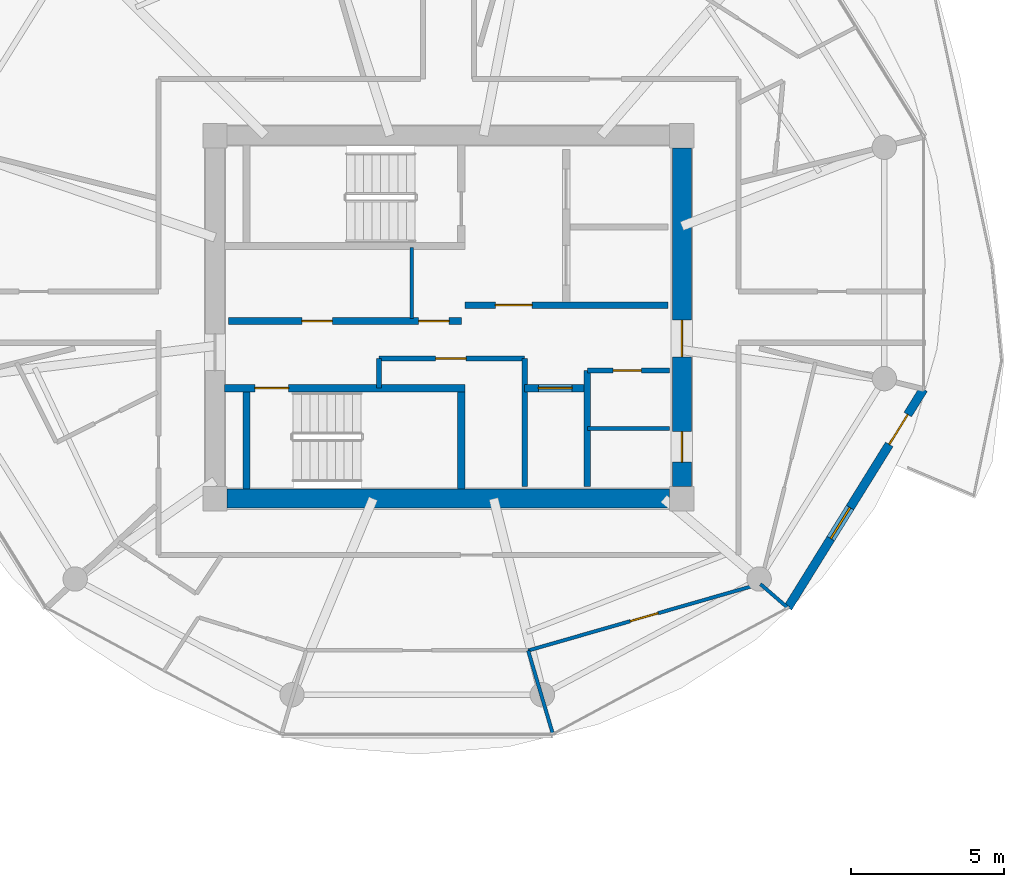
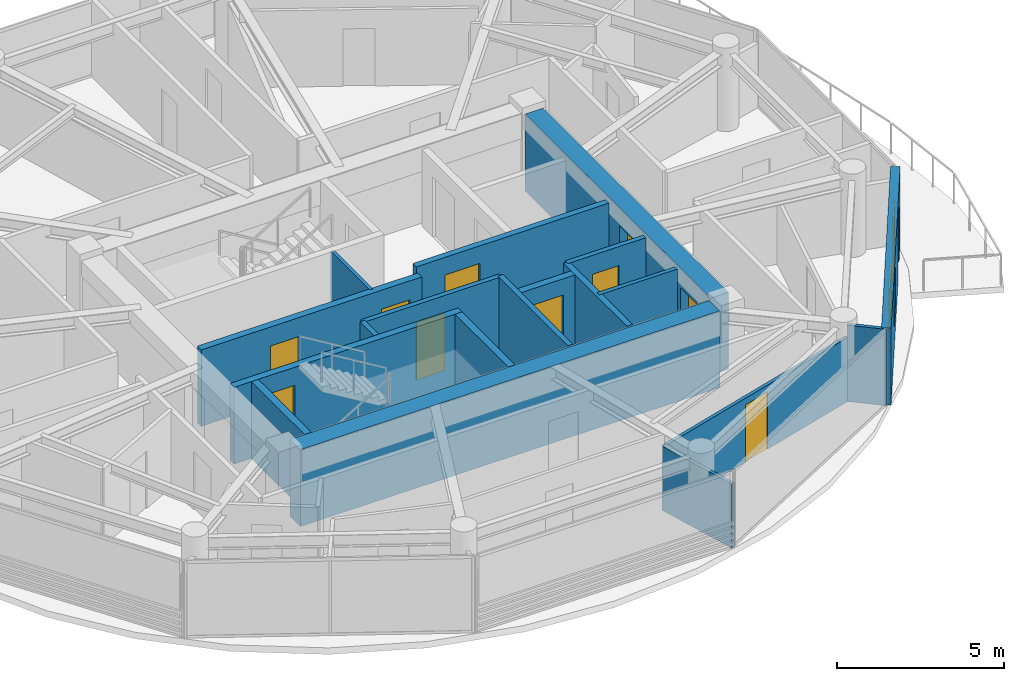
# One storey, part 15 of 22: 19 walls, 11 doors, 1 window, 12 openings.
"""IFC4 building model written with IfcOpenShell, lengths in metres."""

from ifc_helpers import new_model, si_unit, direction, frame, frame_2d, origin, place, context, subcontext, project, spatial, rectangle, extrude, source, transform, mapped, material, layer, layer_set, type_object, type_shapes, element, fill, save


model = new_model("IFC4")

# Units and contexts
model_context = context("Model", 3, precision=1e-05, world=origin(), true_north=direction((0.0, 1.0)))
body_context = subcontext(model_context, "Body", "Model", "MODEL_VIEW")
ifc_project = project(units=[si_unit("LENGTHUNIT", "METRE"), si_unit("AREAUNIT", "SQUARE_METRE"), si_unit("VOLUMEUNIT", "CUBIC_METRE"), si_unit("PLANEANGLEUNIT", "RADIAN"), si_unit("MASSUNIT", "GRAM", prefix="KILO")], contexts=[model_context])

# Site, building, storey
site_placement = place(None, origin())
site = spatial("IfcSite", under=ifc_project, at=site_placement, CompositionType="ELEMENT")
building_placement = place(site_placement, origin())
building = spatial("IfcBuilding", under=site, at=building_placement, Name="Norrkilde Senior Care Towers", CompositionType="ELEMENT")
storey_placement = place(building_placement, frame((0.0, 0.0, 167.85009765625)))
storey = spatial("IfcBuildingStorey", under=building, at=storey_placement, Name="L52", CompositionType="ELEMENT", Elevation=167.85009765625)

# Wall
ifc_material_1 = material(Name="Concrete C50/60", Category="concrete")
ifc_layer_1 = layer(ifc_material_1, 0.6201171875)
ifc_layer_set_1 = layer_set([ifc_layer_1], Name="Concrete C50/60")
wall_type_1 = type_object("IfcWallType", Name="Core Shear Wall Z3 620", PredefinedType="SHEAR", material=ifc_layer_set_1)
shared_shape_1 = source(origin(), body_context, "Body", "SweptSolid", [
    extrude(rectangle(XDim=14.5, YDim=0.6201171875, at=frame_2d((7.25, 0.0))), origin(), (0.0, 0.0, 1.0), 2.809814453125),
])
wall_1_placement = place(storey_placement, frame((35.25, -5.949951171875, 0.0), z_axis=(0.0, 0.0, 1.0), x_axis=(-1.0, 0.0, 0.0)))
element("IfcWall", 1, at=wall_1_placement, inside=storey, type_object=wall_type_1, Name="L52 Core E South Shear Wall", PredefinedType="SHEAR", context=body_context, shape_type="MappedRepresentation", body=[
    mapped(shared_shape_1, transform((0.0, 0.0, 0.0), x_axis=(1.0, 0.0, 0.0), y_axis=(0.0, 1.0, 0.0), z_axis=(0.0, 0.0, 1.0), scale=1.0)),
])

# Wall, openings, doors
shared_shape_2 = source(origin(), body_context, "Body", "SweptSolid", [
    extrude(rectangle(XDim=11.10009765625, YDim=0.6201171875, at=frame_2d((5.550048828125, 0.0))), origin(), (0.0, 0.0, 1.0), 2.809814453125),
])
type_shapes(wall_type_1, [shared_shape_1, shared_shape_2])
wall_2_placement = place(storey_placement, frame((35.64990234375, 5.550048828125, 0.0), z_axis=(0.0, 0.0, 1.0), x_axis=(0.0, -1.0, 0.0)))
wall_2 = element("IfcWall", 2, at=wall_2_placement, inside=storey, type_object=wall_type_1, Name="L52 Core E East Shear Wall", PredefinedType="SHEAR", context=body_context, shape_type="MappedRepresentation", body=[
    mapped(shared_shape_2, transform((0.0, 0.0, 0.0), x_axis=(1.0, 0.0, 0.0), y_axis=(0.0, 1.0, 0.0), z_axis=(0.0, 0.0, 1.0), scale=1.0)),
])
opening_1_placement = place(wall_2_placement, frame((5.64990234375, 0.0, 0.0)))
opening_1 = element("IfcOpeningElement", 3, at=opening_1_placement, cuts=wall_2, Name="Opening D-04", PredefinedType="OPENING", context=body_context, shape_type="SweptSolid", body=[
    extrude(rectangle(XDim=1.199951171875, YDim=2.14990234375, at=frame_2d((0.60009765625, 1.074951171875))), frame((0.0, 0.320068359375, 0.0), z_axis=(0.0, -1.0, 0.0), x_axis=(1.0, 0.0, 0.0)), (0.0, 0.0, 1.0), 0.64013671875),
])
opening_2_placement = place(wall_2_placement, frame((9.300048828125, 0.0, 0.0)))
opening_2 = element("IfcOpeningElement", 4, at=opening_2_placement, cuts=wall_2, Name="Opening D-10", PredefinedType="OPENING", context=body_context, shape_type="SweptSolid", body=[
    extrude(rectangle(XDim=1.0, YDim=2.10009765625, at=frame_2d((0.5, 1.050048828125))), frame((0.0, 0.320068359375, 0.0), z_axis=(0.0, -1.0, 0.0), x_axis=(1.0, 0.0, 0.0)), (0.0, 0.0, 1.0), 0.64013671875),
])
ifc_material_2 = material(Name="Galvanised Painted Steel", Category="steel")
door_type_1 = type_object("IfcDoorType", Name="Firefighting Lobby Fire Door 1200x2150", OperationType="NOTDEFINED", PredefinedType="DOOR", material=ifc_material_2)
shared_shape_3 = source(origin(), body_context, "Body", "SweptSolid", [
    extrude(rectangle(XDim=1.199951171875, YDim=2.14990234375, at=frame_2d((0.60009765625, 1.074951171875))), frame((0.0, 0.02490234375, 0.0), z_axis=(0.0, -1.0, 0.0), x_axis=(1.0, 0.0, 0.0)), (0.0, 0.0, 1.0), 0.050048828125),
])
type_shapes(door_type_1, [shared_shape_3])
door_1_placement = place(opening_1_placement, frame((1.199951171875, 0.0, 0.0), z_axis=(0.0, 0.0, 1.0), x_axis=(-1.0, 0.0, 0.0)))
door_1 = element("IfcDoor", 5, at=door_1_placement, inside=storey, type_object=door_type_1, Name="L52 Core E East Portal Door", OperationType="SINGLE_SWING_RIGHT", OverallHeight=2.14990234375, OverallWidth=1.199951171875, PredefinedType="DOOR", context=body_context, shape_type="MappedRepresentation", body=[
    mapped(shared_shape_3, transform((0.0, 0.0, 0.0), x_axis=(1.0, 0.0, 0.0), y_axis=(0.0, 1.0, 0.0), z_axis=(0.0, 0.0, 1.0), scale=1.0)),
])
fill(opening_1, door_1)
door_type_2 = type_object("IfcDoorType", Name="Plant and Riser Rated Door 1000x2100", OperationType="NOTDEFINED", PredefinedType="DOOR", material=ifc_material_2)
shared_shape_4 = source(origin(), body_context, "Body", "SweptSolid", [
    extrude(rectangle(XDim=1.0, YDim=2.10009765625, at=frame_2d((0.5, 1.050048828125))), frame((0.0, 0.02490234375, 0.0), z_axis=(0.0, -1.0, 0.0), x_axis=(1.0, 0.0, 0.0)), (0.0, 0.0, 1.0), 0.050048828125),
])
type_shapes(door_type_2, [shared_shape_4])
door_2_placement = place(opening_2_placement, frame((1.0, 0.0, 0.0), z_axis=(0.0, 0.0, 1.0), x_axis=(-1.0, 0.0, 0.0)))
door_2 = element("IfcDoor", 6, at=door_2_placement, inside=storey, type_object=door_type_2, Name="L52 Ventilation Riser E Door", OperationType="SINGLE_SWING_RIGHT", OverallHeight=2.10009765625, OverallWidth=1.0, PredefinedType="DOOR", context=body_context, shape_type="MappedRepresentation", body=[
    mapped(shared_shape_4, transform((0.0, 0.0, 0.0), x_axis=(1.0, 0.0, 0.0), y_axis=(0.0, 1.0, 0.0), z_axis=(0.0, 0.0, 1.0), scale=1.0)),
])
fill(opening_2, door_2)

# Wall, openings, door, window
ifc_material_3 = material(Name="Precast concrete C45/55", Category="concrete")
ifc_layer_2 = layer(ifc_material_3, 0.2900390625)
ifc_layer_set_2 = layer_set([ifc_layer_2], Name="Precast concrete C45/55")
wall_type_2 = type_object("IfcWallType", Name="Winter Garden Facade Wall 290", PredefinedType="SOLIDWALL", material=ifc_layer_set_2)
shared_shape_5 = source(origin(), body_context, "Body", "SweptSolid", [
    extrude(rectangle(XDim=8.431396484375, YDim=0.2900390625, at=frame_2d((4.2158203125, 0.0))), origin(), (0.0, 0.0, 1.0), 2.809814453125),
])
type_shapes(wall_type_2, [shared_shape_5])
wall_3_placement = place(storey_placement, frame((43.569580078125, -2.360595703125, 0.0), z_axis=(0.0, 0.0, 1.0), x_axis=(-0.527377998418, -0.849630770855, 0.0)))
wall_3 = element("IfcWall", 7, at=wall_3_placement, inside=storey, type_object=wall_type_2, Name="L52 Drum E Balcony Access Wall 10", PredefinedType="SOLIDWALL", context=body_context, shape_type="MappedRepresentation", body=[
    mapped(shared_shape_5, transform((0.0, 0.0, 0.0), x_axis=(1.0, 0.0, 0.0), y_axis=(0.0, 1.0, 0.0), z_axis=(0.0, 0.0, 1.0), scale=1.0)),
])
opening_3_placement = place(wall_3_placement, frame((0.97998046875, 0.0, 0.0)))
opening_3 = element("IfcOpeningElement", 8, at=opening_3_placement, cuts=wall_3, Name="Opening D-09", PredefinedType="OPENING", context=body_context, shape_type="SweptSolid", body=[
    extrude(rectangle(XDim=1.14990234375, YDim=2.25, at=frame_2d((0.574951171875, 1.125))), frame((0.0, 0.155029296875, 0.0), z_axis=(0.0, -1.0, 0.0), x_axis=(1.0, 0.0, 0.0)), (0.0, 0.0, 1.0), 0.31005859375),
])
opening_4_placement = place(wall_3_placement, frame((4.565673828125, 0.0, 0.85009765625)))
opening_4 = element("IfcOpeningElement", 9, at=opening_4_placement, cuts=wall_3, Name="Opening WN-07", PredefinedType="OPENING", context=body_context, shape_type="SweptSolid", body=[
    extrude(rectangle(XDim=1.199951171875, YDim=1.5, at=frame_2d((0.60009765625, 0.75))), frame((0.0, 0.155029296875, 0.0), z_axis=(0.0, -1.0, 0.0), x_axis=(1.0, 0.0, 0.0)), (0.0, 0.0, 1.0), 0.31005859375),
])
ifc_material_4 = material(Name="Anodised Aluminium", Category="aluminium")
door_type_3 = type_object("IfcDoorType", Name="Terrace and Balcony Glazed Door 1150x2250", OperationType="NOTDEFINED", PredefinedType="DOOR", material=ifc_material_4)
shared_shape_6 = source(origin(), body_context, "Body", "SweptSolid", [
    extrude(rectangle(XDim=1.14990234375, YDim=2.25, at=frame_2d((0.574951171875, 1.125))), frame((0.0, 0.02490234375, 0.0), z_axis=(0.0, -1.0, 0.0), x_axis=(1.0, 0.0, 0.0)), (0.0, 0.0, 1.0), 0.050048828125),
])
type_shapes(door_type_3, [shared_shape_6])
door_3_placement = place(opening_3_placement, origin())
door_3 = element("IfcDoor", 10, at=door_3_placement, inside=storey, type_object=door_type_3, Name="L52 Drum E Outdoor Terrace Door 10", OperationType="SINGLE_SWING_LEFT", OverallHeight=2.25, OverallWidth=1.14990234375, PredefinedType="DOOR", context=body_context, shape_type="MappedRepresentation", body=[
    mapped(shared_shape_6, transform((0.0, 0.0, 0.0), x_axis=(1.0, 0.0, 0.0), y_axis=(0.0, 1.0, 0.0), z_axis=(0.0, 0.0, 1.0), scale=1.0)),
])
fill(opening_3, door_3)
ifc_material_5 = material(Name="Triple Low-E Insulated Glazing", Category="glass")
window_type = type_object("IfcWindowType", Name="Stairwell Smoke Vent Window 1200x1500", PartitioningType="SINGLE_PANEL", PredefinedType="WINDOW", material=ifc_material_5)
shared_shape_7 = source(origin(), body_context, "Body", "SweptSolid", [
    extrude(rectangle(XDim=1.199951171875, YDim=1.5, at=frame_2d((0.60009765625, 0.75))), frame((0.0, 0.030029296875, 0.0), z_axis=(0.0, -1.0, 0.0), x_axis=(1.0, 0.0, 0.0)), (0.0, 0.0, 1.0), 0.06005859375),
])
type_shapes(window_type, [shared_shape_7])
window_placement = place(opening_4_placement, origin())
window = element("IfcWindow", 11, at=window_placement, inside=storey, type_object=window_type, Name="L52 Drum E Winter Garden Window 10", OverallHeight=1.5, OverallWidth=1.199951171875, PartitioningType="SINGLE_PANEL", PredefinedType="WINDOW", context=body_context, shape_type="MappedRepresentation", body=[
    mapped(shared_shape_7, transform((0.0, 0.0, 0.0), x_axis=(1.0, 0.0, 0.0), y_axis=(0.0, 1.0, 0.0), z_axis=(0.0, 0.0, 1.0), scale=1.0)),
])
fill(opening_4, window)

# Wall, opening, door
ifc_material_6 = material(Name="Concrete C45/55", Category="concrete")
ifc_layer_3 = layer(ifc_material_6, 0.2099609375)
ifc_layer_set_3 = layer_set([ifc_layer_3], Name="Concrete C45/55")
wall_type_3 = type_object("IfcWallType", Name="Firefighting Lobby Wall 210", PredefinedType="PARTITIONING", material=ifc_layer_set_3)
shared_shape_8 = source(origin(), body_context, "Body", "SweptSolid", [
    extrude(rectangle(XDim=6.659912109375, YDim=0.2099609375, at=frame_2d((3.330078125, 0.0))), origin(), (0.0, 0.0, 1.0), 2.794921875),
])
type_shapes(wall_type_3, [shared_shape_8])
wall_4_placement = place(storey_placement, frame((28.5400390625, 0.389892578125, 0.0), z_axis=(0.0, 0.0, 1.0), x_axis=(1.0, 0.0, 0.0)))
wall_4 = element("IfcWall", 12, at=wall_4_placement, inside=storey, type_object=wall_type_3, Name="WL-INT-L52-E-FFLS", PredefinedType="PARTITIONING", context=body_context, shape_type="MappedRepresentation", body=[
    mapped(shared_shape_8, transform((0.0, 0.0, 0.0), x_axis=(1.0, 0.0, 0.0), y_axis=(0.0, 1.0, 0.0), z_axis=(0.0, 0.0, 1.0), scale=1.0)),
])
opening_5_placement = place(wall_4_placement, frame((1.0, 0.0, 0.0)))
opening_5 = element("IfcOpeningElement", 13, at=opening_5_placement, cuts=wall_4, Name="Opening D-04", PredefinedType="OPENING", context=body_context, shape_type="SweptSolid", body=[
    extrude(rectangle(XDim=1.199951171875, YDim=2.14990234375, at=frame_2d((0.60009765625, 1.074951171875))), frame((0.0, 0.114990234375, 0.0), z_axis=(0.0, -1.0, 0.0), x_axis=(1.0, 0.0, 0.0)), (0.0, 0.0, 1.0), 0.22998046875),
])
door_4_placement = place(opening_5_placement, frame((1.199951171875, 0.0, 0.0), z_axis=(0.0, 0.0, 1.0), x_axis=(-1.0, 0.0, 0.0)))
door_4 = element("IfcDoor", 14, at=door_4_placement, inside=storey, type_object=door_type_1, Name="L52 Firefighting Lobby E Door", OperationType="SINGLE_SWING_LEFT", OverallHeight=2.14990234375, OverallWidth=1.199951171875, PredefinedType="DOOR", context=body_context, shape_type="MappedRepresentation", body=[
    mapped(shared_shape_3, transform((0.0, 0.0, 0.0), x_axis=(1.0, 0.0, 0.0), y_axis=(0.0, 1.0, 0.0), z_axis=(0.0, 0.0, 1.0), scale=1.0)),
])
fill(opening_5, door_4)

# Wall, openings, doors
ifc_layer_4 = layer(ifc_material_6, 0.239990234375)
ifc_layer_set_4 = layer_set([ifc_layer_4], Name="Concrete C45/55")
wall_type_4 = type_object("IfcWallType", Name="Lift and Plant Rated Enclosure Partition 240", PredefinedType="PARTITIONING", material=ifc_layer_set_4)
shared_shape_9 = source(origin(), body_context, "Body", "SweptSolid", [
    extrude(rectangle(XDim=7.619873046875, YDim=0.239990234375, at=frame_2d((3.81005859375, 0.0))), origin(), (0.0, 0.0, 1.0), 2.794921875),
])
wall_5_placement = place(storey_placement, frame((20.800048828125, -0.1298828125, 0.0), z_axis=(0.0, 0.0, 1.0), x_axis=(1.0, 0.0, 0.0)))
wall_5 = element("IfcWall", 15, at=wall_5_placement, inside=storey, type_object=wall_type_4, Name="WL-INT-L52-E-PKAS", PredefinedType="PARTITIONING", context=body_context, shape_type="MappedRepresentation", body=[
    mapped(shared_shape_9, transform((0.0, 0.0, 0.0), x_axis=(1.0, 0.0, 0.0), y_axis=(0.0, 1.0, 0.0), z_axis=(0.0, 0.0, 1.0), scale=1.0)),
])
opening_6_placement = place(wall_5_placement, frame((6.219970703125, 0.0, 0.0)))
opening_6 = element("IfcOpeningElement", 16, at=opening_6_placement, cuts=wall_5, Name="Opening D-10", PredefinedType="OPENING", context=body_context, shape_type="SweptSolid", body=[
    extrude(rectangle(XDim=1.0, YDim=2.10009765625, at=frame_2d((0.5, 1.050048828125))), frame((0.0, 0.1298828125, 0.0), z_axis=(0.0, -1.0, 0.0), x_axis=(1.0, 0.0, 0.0)), (0.0, 0.0, 1.0), 0.260009765625),
])
opening_7_placement = place(wall_5_placement, frame((2.39990234375, 0.0, 0.0)))
opening_7 = element("IfcOpeningElement", 17, at=opening_7_placement, cuts=wall_5, Name="Opening D-10", PredefinedType="OPENING", context=body_context, shape_type="SweptSolid", body=[
    extrude(rectangle(XDim=1.0, YDim=2.10009765625, at=frame_2d((0.5, 1.050048828125))), frame((0.0, 0.1298828125, 0.0), z_axis=(0.0, -1.0, 0.0), x_axis=(1.0, 0.0, 0.0)), (0.0, 0.0, 1.0), 0.260009765625),
])
door_5_placement = place(opening_6_placement, frame((1.0, 0.0, 0.0), z_axis=(0.0, 0.0, 1.0), x_axis=(-1.0, 0.0, 0.0)))
door_5 = element("IfcDoor", 18, at=door_5_placement, inside=storey, type_object=door_type_2, Name="L52 Electrical Riser E Door", OperationType="SINGLE_SWING_LEFT", OverallHeight=2.10009765625, OverallWidth=1.0, PredefinedType="DOOR", context=body_context, shape_type="MappedRepresentation", body=[
    mapped(shared_shape_4, transform((0.0, 0.0, 0.0), x_axis=(1.0, 0.0, 0.0), y_axis=(0.0, 1.0, 0.0), z_axis=(0.0, 0.0, 1.0), scale=1.0)),
])
fill(opening_6, door_5)
door_6_placement = place(opening_7_placement, frame((1.0, 0.0, 0.0), z_axis=(0.0, 0.0, 1.0), x_axis=(-1.0, 0.0, 0.0)))
door_6 = element("IfcDoor", 19, at=door_6_placement, inside=storey, type_object=door_type_2, Name="L52 Clean Supply Store E Door", OperationType="SINGLE_SWING_LEFT", OverallHeight=2.10009765625, OverallWidth=1.0, PredefinedType="DOOR", context=body_context, shape_type="MappedRepresentation", body=[
    mapped(shared_shape_4, transform((0.0, 0.0, 0.0), x_axis=(1.0, 0.0, 0.0), y_axis=(0.0, 1.0, 0.0), z_axis=(0.0, 0.0, 1.0), scale=1.0)),
])
fill(opening_7, door_6)

# Walls
ifc_material_7 = material(Name="Gypsum Acoustic Board")
ifc_layer_5 = layer(ifc_material_7, 0.114990234375)
ifc_layer_set_5 = layer_set([ifc_layer_5], Name="Gypsum Acoustic Board")
wall_type_5 = type_object("IfcWallType", Name="Internal Room Partition 115", PredefinedType="PARTITIONING", material=ifc_layer_set_5)
shared_shape_10 = source(origin(), body_context, "Body", "SweptSolid", [
    extrude(rectangle(XDim=2.330078125, YDim=0.114990234375, at=frame_2d((1.1650390625, 0.0))), origin(), (0.0, 0.0, 1.0), 2.794921875),
])
wall_6_placement = place(storey_placement, frame((26.7900390625, -0.050048828125, 0.0), z_axis=(0.0, 0.0, 1.0), x_axis=(0.0, 1.0, 0.0)))
element("IfcWall", 20, at=wall_6_placement, inside=storey, type_object=wall_type_5, Name="WL-INT-L52-E-RISW", PredefinedType="PARTITIONING", context=body_context, shape_type="MappedRepresentation", body=[
    mapped(shared_shape_10, transform((0.0, 0.0, 0.0), x_axis=(1.0, 0.0, 0.0), y_axis=(0.0, 1.0, 0.0), z_axis=(0.0, 0.0, 1.0), scale=1.0)),
])
ifc_layer_6 = layer(ifc_material_6, 0.199951171875)
ifc_layer_set_6 = layer_set([ifc_layer_6], Name="Concrete C45/55")
wall_type_6 = type_object("IfcWallType", Name="Shaft Division and Plant Partition 200", PredefinedType="PARTITIONING", material=ifc_layer_set_6)
shared_shape_11 = source(origin(), body_context, "Body", "SweptSolid", [
    extrude(rectangle(XDim=3.800048828125, YDim=0.199951171875, at=frame_2d((1.89990234375, 0.0))), origin(), (0.0, 0.0, 1.0), 2.794921875),
])
type_shapes(wall_type_6, [shared_shape_11])
wall_7_placement = place(storey_placement, frame((32.550048828125, -5.550048828125, 0.0), z_axis=(0.0, 0.0, 1.0), x_axis=(0.0, 1.0, 0.0)))
element("IfcWall", 21, at=wall_7_placement, inside=storey, type_object=wall_type_6, Name="WL-INT-L52-E-PKBE", PredefinedType="PARTITIONING", context=body_context, shape_type="MappedRepresentation", body=[
    mapped(shared_shape_11, transform((0.0, 0.0, 0.0), x_axis=(1.0, 0.0, 0.0), y_axis=(0.0, 1.0, 0.0), z_axis=(0.0, 0.0, 1.0), scale=1.0)),
])

# Wall, opening, door
ifc_layer_7 = layer(ifc_material_7, 0.1650390625)
ifc_layer_set_7 = layer_set([ifc_layer_7], Name="Gypsum Acoustic Board")
wall_type_7 = type_object("IfcWallType", Name="Corridor Rated Partition 165", PredefinedType="PARTITIONING", material=ifc_layer_set_7)
shared_shape_12 = source(origin(), body_context, "Body", "SweptSolid", [
    extrude(rectangle(XDim=2.699951171875, YDim=0.1650390625, at=frame_2d((1.35009765625, 0.0))), origin(), (0.0, 0.0, 1.0), 2.794921875),
])
wall_8_placement = place(storey_placement, frame((32.550048828125, -1.75, 0.0), z_axis=(0.0, 0.0, 1.0), x_axis=(1.0, 0.0, 0.0)))
wall_8 = element("IfcWall", 22, at=wall_8_placement, inside=storey, type_object=wall_type_7, Name="WL-INT-L52-E-CSN", PredefinedType="PARTITIONING", context=body_context, shape_type="MappedRepresentation", body=[
    mapped(shared_shape_12, transform((0.0, 0.0, 0.0), x_axis=(1.0, 0.0, 0.0), y_axis=(0.0, 1.0, 0.0), z_axis=(0.0, 0.0, 1.0), scale=1.0)),
])
opening_8_placement = place(wall_8_placement, frame((0.85009765625, 0.0, 0.0)))
opening_8 = element("IfcOpeningElement", 23, at=opening_8_placement, cuts=wall_8, Name="Opening D-12", PredefinedType="OPENING", context=body_context, shape_type="SweptSolid", body=[
    extrude(rectangle(XDim=0.925048828125, YDim=2.10009765625, at=frame_2d((0.46240234375, 1.050048828125))), frame((0.0, 0.092529296875, 0.0), z_axis=(0.0, -1.0, 0.0), x_axis=(1.0, 0.0, 0.0)), (0.0, 0.0, 1.0), 0.18505859375),
])
door_type_4 = type_object("IfcDoorType", Name="Core Wet Room Rated Door 925x2100", OperationType="NOTDEFINED", PredefinedType="DOOR", material=ifc_material_2)
shared_shape_13 = source(origin(), body_context, "Body", "SweptSolid", [
    extrude(rectangle(XDim=0.925048828125, YDim=2.10009765625, at=frame_2d((0.46240234375, 1.050048828125))), frame((0.0, 0.02490234375, 0.0), z_axis=(0.0, -1.0, 0.0), x_axis=(1.0, 0.0, 0.0)), (0.0, 0.0, 1.0), 0.050048828125),
])
type_shapes(door_type_4, [shared_shape_13])
door_7_placement = place(opening_8_placement, origin())
door_7 = element("IfcDoor", 24, at=door_7_placement, inside=storey, type_object=door_type_4, Name="L52 Staff WC E Door", OperationType="SINGLE_SWING_LEFT", OverallHeight=2.10009765625, OverallWidth=0.925048828125, PredefinedType="DOOR", context=body_context, shape_type="MappedRepresentation", body=[
    mapped(shared_shape_13, transform((0.0, 0.0, 0.0), x_axis=(1.0, 0.0, 0.0), y_axis=(0.0, 1.0, 0.0), z_axis=(0.0, 0.0, 1.0), scale=1.0)),
])
fill(opening_8, door_7)

# Wall
ifc_layer_8 = layer(ifc_material_7, 0.139892578125)
ifc_layer_set_8 = layer_set([ifc_layer_8], Name="Gypsum Acoustic Board")
wall_type_8 = type_object("IfcWallType", Name="En-suite Wet Room Wall 140", PredefinedType="PARTITIONING", material=ifc_layer_set_8)
shared_shape_14 = source(origin(), body_context, "Body", "SweptSolid", [
    extrude(rectangle(XDim=2.699951171875, YDim=0.139892578125, at=frame_2d((1.35009765625, 0.0))), origin(), (0.0, 0.0, 1.0), 2.794921875),
])
type_shapes(wall_type_8, [shared_shape_14])
wall_9_placement = place(storey_placement, frame((32.550048828125, -3.64990234375, 0.0), z_axis=(0.0, 0.0, 1.0), x_axis=(1.0, 0.0, 0.0)))
element("IfcWall", 25, at=wall_9_placement, inside=storey, type_object=wall_type_8, Name="WL-INT-L52-E-CS2H", PredefinedType="PARTITIONING", context=body_context, shape_type="MappedRepresentation", body=[
    mapped(shared_shape_14, transform((0.0, 0.0, 0.0), x_axis=(1.0, 0.0, 0.0), y_axis=(0.0, 1.0, 0.0), z_axis=(0.0, 0.0, 1.0), scale=1.0)),
])

# Wall, opening, door
ifc_layer_9 = layer(ifc_material_6, 0.239990234375)
ifc_layer_set_9 = layer_set([ifc_layer_9], Name="Concrete C45/55")
wall_type_9 = type_object("IfcWallType", Name="Shaft and Stair Enclosure Wall 240", PredefinedType="PARTITIONING", material=ifc_layer_set_9)
shared_shape_15 = source(origin(), body_context, "Body", "SweptSolid", [
    extrude(rectangle(XDim=7.880126953125, YDim=0.239990234375, at=frame_2d((3.93994140625, 0.0))), origin(), (0.0, 0.0, 1.0), 2.809814453125),
])
wall_10_placement = place(storey_placement, frame((20.659912109375, -2.330078125, 0.0), z_axis=(0.0, 0.0, 1.0), x_axis=(1.0, 0.0, 0.0)))
wall_10 = element("IfcWall", 26, at=wall_10_placement, inside=storey, type_object=wall_type_9, Name="WL-INT-L52-E-ST2N", PredefinedType="PARTITIONING", context=body_context, shape_type="MappedRepresentation", body=[
    mapped(shared_shape_15, transform((0.0, 0.0, 0.0), x_axis=(1.0, 0.0, 0.0), y_axis=(0.0, 1.0, 0.0), z_axis=(0.0, 0.0, 1.0), scale=1.0)),
])
opening_9_placement = place(wall_10_placement, frame((1.0, 0.0, 0.0)))
opening_9 = element("IfcOpeningElement", 27, at=opening_9_placement, cuts=wall_10, Name="Opening D-03", PredefinedType="OPENING", context=body_context, shape_type="SweptSolid", body=[
    extrude(rectangle(XDim=1.10009765625, YDim=2.14990234375, at=frame_2d((0.550048828125, 1.074951171875))), frame((0.0, 0.1298828125, 0.0), z_axis=(0.0, -1.0, 0.0), x_axis=(1.0, 0.0, 0.0)), (0.0, 0.0, 1.0), 0.260009765625),
])
door_type_5 = type_object("IfcDoorType", Name="Stairwell Protected Fire Door 1100x2150", OperationType="NOTDEFINED", PredefinedType="DOOR", material=ifc_material_2)
shared_shape_16 = source(origin(), body_context, "Body", "SweptSolid", [
    extrude(rectangle(XDim=1.10009765625, YDim=2.14990234375, at=frame_2d((0.550048828125, 1.074951171875))), frame((0.0, 0.02490234375, 0.0), z_axis=(0.0, -1.0, 0.0), x_axis=(1.0, 0.0, 0.0)), (0.0, 0.0, 1.0), 0.050048828125),
])
type_shapes(door_type_5, [shared_shape_16])
door_8_placement = place(opening_9_placement, frame((1.10009765625, 0.0, 0.0), z_axis=(0.0, 0.0, 1.0), x_axis=(-1.0, 0.0, 0.0)))
door_8 = element("IfcDoor", 28, at=door_8_placement, inside=storey, type_object=door_type_5, Name="L52 Stair E2 Fire Door", OperationType="SINGLE_SWING_RIGHT", OverallHeight=2.14990234375, OverallWidth=1.10009765625, PredefinedType="DOOR", context=body_context, shape_type="MappedRepresentation", body=[
    mapped(shared_shape_16, transform((0.0, 0.0, 0.0), x_axis=(1.0, 0.0, 0.0), y_axis=(0.0, 1.0, 0.0), z_axis=(0.0, 0.0, 1.0), scale=1.0)),
])
fill(opening_9, door_8)

# Walls
shared_shape_17 = source(origin(), body_context, "Body", "SweptSolid", [
    extrude(rectangle(XDim=3.18994140625, YDim=0.239990234375, at=frame_2d((1.594970703125, 0.0))), origin(), (0.0, 0.0, 1.0), 2.809814453125),
])
type_shapes(wall_type_9, [shared_shape_15, shared_shape_17])
for number, where, z_axis, x_axis, name in (
    (29, (21.3798828125, -5.639892578125, 0.0), (0.0, 0.0, 1.0), (0.0, 1.0, 0.0), "WL-INT-L52-E-ST2W"),
    (30, (28.419921875, -5.639892578125, 0.0), (0.0, 0.0, 1.0), (0.0, 1.0, 0.0), "WL-INT-L52-E-ST2E"),
):
    element("IfcWall", number, at=place(storey_placement, frame(where, z_axis=z_axis, x_axis=x_axis)), inside=storey, type_object=wall_type_9, Name=name, PredefinedType="PARTITIONING", context=body_context, shape_type="MappedRepresentation", body=[
        mapped(shared_shape_17, transform((0.0, 0.0, 0.0), x_axis=(1.0, 0.0, 0.0), y_axis=(0.0, 1.0, 0.0), z_axis=(0.0, 0.0, 1.0), scale=1.0)),
    ])

# Wall, opening, door
shared_shape_18 = source(origin(), body_context, "Body", "SweptSolid", [
    extrude(rectangle(XDim=2.050048828125, YDim=0.239990234375, at=frame_2d((1.02490234375, 0.0))), origin(), (0.0, 0.0, 1.0), 2.794921875),
])
type_shapes(wall_type_4, [shared_shape_9, shared_shape_18])
wall_11_placement = place(storey_placement, frame((30.5, -2.330078125, 0.0), z_axis=(0.0, 0.0, 1.0), x_axis=(1.0, 0.0, 0.0)))
wall_11 = element("IfcWall", 31, at=wall_11_placement, inside=storey, type_object=wall_type_4, Name="WL-INT-L52-E-PL4N", PredefinedType="PARTITIONING", context=body_context, shape_type="MappedRepresentation", body=[
    mapped(shared_shape_18, transform((0.0, 0.0, 0.0), x_axis=(1.0, 0.0, 0.0), y_axis=(0.0, 1.0, 0.0), z_axis=(0.0, 0.0, 1.0), scale=1.0)),
])
opening_10_placement = place(wall_11_placement, frame((0.449951171875, 0.0, 0.0)))
opening_10 = element("IfcOpeningElement", 32, at=opening_10_placement, cuts=wall_11, Name="Opening LD-01", PredefinedType="OPENING", context=body_context, shape_type="SweptSolid", body=[
    extrude(rectangle(XDim=1.10009765625, YDim=2.199951171875, at=frame_2d((0.550048828125, 1.10009765625))), frame((0.0, 0.1298828125, 0.0), z_axis=(0.0, -1.0, 0.0), x_axis=(1.0, 0.0, 0.0)), (0.0, 0.0, 1.0), 0.260009765625),
])
ifc_material_8 = material(Name="Stainless Steel", Category="steel")
door_type_6 = type_object("IfcDoorType", Name="Lift Landing Sliding Door 1100x2200", OperationType="NOTDEFINED", PredefinedType="DOOR", material=ifc_material_8)
shared_shape_19 = source(origin(), body_context, "Body", "SweptSolid", [
    extrude(rectangle(XDim=1.10009765625, YDim=2.199951171875, at=frame_2d((0.550048828125, 1.10009765625))), frame((0.0, 0.02490234375, 0.0), z_axis=(0.0, -1.0, 0.0), x_axis=(1.0, 0.0, 0.0)), (0.0, 0.0, 1.0), 0.050048828125),
])
type_shapes(door_type_6, [shared_shape_19])
door_9_placement = place(opening_10_placement, frame((1.10009765625, 0.0, 0.0), z_axis=(0.0, 0.0, 1.0), x_axis=(-1.0, 0.0, 0.0)))
door_9 = element("IfcDoor", 33, at=door_9_placement, inside=storey, type_object=door_type_6, Name="L52 Passenger Lift E4 Landing Door", OperationType="SLIDING_TO_RIGHT", OverallHeight=2.199951171875, OverallWidth=1.10009765625, PredefinedType="DOOR", context=body_context, shape_type="MappedRepresentation", body=[
    mapped(shared_shape_19, transform((0.0, 0.0, 0.0), x_axis=(1.0, 0.0, 0.0), y_axis=(0.0, 1.0, 0.0), z_axis=(0.0, 0.0, 1.0), scale=1.0)),
])
fill(opening_10, door_9)

# Wall
ifc_layer_10 = layer(ifc_material_6, 0.179931640625)
ifc_layer_set_10 = layer_set([ifc_layer_10], Name="Concrete C45/55")
wall_type_10 = type_object("IfcWallType", Name="Hoistway Division Rated Partition 180", PredefinedType="PARTITIONING", material=ifc_layer_set_10)
shared_shape_20 = source(origin(), body_context, "Body", "SweptSolid", [
    extrude(rectangle(XDim=4.199951171875, YDim=0.179931640625, at=frame_2d((2.10009765625, 0.0))), origin(), (0.0, 0.0, 1.0), 2.794921875),
])
type_shapes(wall_type_10, [shared_shape_20])
wall_12_placement = place(storey_placement, frame((30.5, -5.550048828125, 0.0), z_axis=(0.0, 0.0, 1.0), x_axis=(0.0, 1.0, 0.0)))
element("IfcWall", 34, at=wall_12_placement, inside=storey, type_object=wall_type_10, Name="WL-INT-L52-E-PL4W", PredefinedType="PARTITIONING", context=body_context, shape_type="MappedRepresentation", body=[
    mapped(shared_shape_20, transform((0.0, 0.0, 0.0), x_axis=(1.0, 0.0, 0.0), y_axis=(0.0, 1.0, 0.0), z_axis=(0.0, 0.0, 1.0), scale=1.0)),
])

# Wall, opening, door
shared_shape_21 = source(origin(), body_context, "Body", "SweptSolid", [
    extrude(rectangle(XDim=4.77001953125, YDim=0.1650390625, at=frame_2d((2.385009765625, 0.0))), origin(), (0.0, 0.0, 1.0), 2.794921875),
])
wall_13_placement = place(storey_placement, frame((25.72998046875, -1.35009765625, 0.0), z_axis=(0.0, 0.0, 1.0), x_axis=(1.0, 0.0, 0.0)))
wall_13 = element("IfcWall", 35, at=wall_13_placement, inside=storey, type_object=wall_type_7, Name="WL-INT-L52-E-FR2N", PredefinedType="PARTITIONING", context=body_context, shape_type="MappedRepresentation", body=[
    mapped(shared_shape_21, transform((0.0, 0.0, 0.0), x_axis=(1.0, 0.0, 0.0), y_axis=(0.0, 1.0, 0.0), z_axis=(0.0, 0.0, 1.0), scale=1.0)),
])
opening_11_placement = place(wall_13_placement, frame((1.85009765625, 0.0, 0.0)))
opening_11 = element("IfcOpeningElement", 36, at=opening_11_placement, cuts=wall_13, Name="Opening D-10", PredefinedType="OPENING", context=body_context, shape_type="SweptSolid", body=[
    extrude(rectangle(XDim=1.0, YDim=2.10009765625, at=frame_2d((0.5, 1.050048828125))), frame((0.0, 0.092529296875, 0.0), z_axis=(0.0, -1.0, 0.0), x_axis=(1.0, 0.0, 0.0)), (0.0, 0.0, 1.0), 0.18505859375),
])
door_10_placement = place(opening_11_placement, origin())
door_10 = element("IfcDoor", 37, at=door_10_placement, inside=storey, type_object=door_type_2, Name="L52 Core Pantry E Door", OperationType="SINGLE_SWING_RIGHT", OverallHeight=2.10009765625, OverallWidth=1.0, PredefinedType="DOOR", context=body_context, shape_type="MappedRepresentation", body=[
    mapped(shared_shape_4, transform((0.0, 0.0, 0.0), x_axis=(1.0, 0.0, 0.0), y_axis=(0.0, 1.0, 0.0), z_axis=(0.0, 0.0, 1.0), scale=1.0)),
])
fill(opening_11, door_10)

# Wall
shared_shape_22 = source(origin(), body_context, "Body", "SweptSolid", [
    extrude(rectangle(XDim=0.97998046875, YDim=0.1650390625, at=frame_2d((0.489990234375, 0.0))), origin(), (0.0, 0.0, 1.0), 2.794921875),
])
type_shapes(wall_type_7, [shared_shape_12, shared_shape_21, shared_shape_22])
wall_14_placement = place(storey_placement, frame((25.72998046875, -2.330078125, 0.0), z_axis=(0.0, 0.0, 1.0), x_axis=(0.0, 1.0, 0.0)))
element("IfcWall", 38, at=wall_14_placement, inside=storey, type_object=wall_type_7, Name="WL-INT-L52-E-FR2W", PredefinedType="PARTITIONING", context=body_context, shape_type="MappedRepresentation", body=[
    mapped(shared_shape_22, transform((0.0, 0.0, 0.0), x_axis=(1.0, 0.0, 0.0), y_axis=(0.0, 1.0, 0.0), z_axis=(0.0, 0.0, 1.0), scale=1.0)),
])

# Wall, opening, door
shared_shape_23 = source(origin(), body_context, "Body", "SweptSolid", [
    extrude(rectangle(XDim=7.91064453125, YDim=0.114990234375, at=frame_2d((3.955322265625, 0.0))), origin(), (0.0, 0.0, 1.0), 2.344970703125),
])
wall_15_placement = place(storey_placement, frame((30.612548828125, -10.926513671875, 0.0), z_axis=(0.0, 0.0, 1.0), x_axis=(0.961104741235, 0.276184134908, 0.0)))
wall_15 = element("IfcWall", 39, at=wall_15_placement, inside=storey, type_object=wall_type_5, Name="WL-INT-L52-E-UBC-07-2", PredefinedType="PARTITIONING", context=body_context, shape_type="MappedRepresentation", body=[
    mapped(shared_shape_23, transform((0.0, 0.0, 0.0), x_axis=(1.0, 0.0, 0.0), y_axis=(0.0, 1.0, 0.0), z_axis=(0.0, 0.0, 1.0), scale=1.0)),
])
opening_12_placement = place(wall_15_placement, frame((3.480224609375, 0.0, 0.0)))
opening_12 = element("IfcOpeningElement", 40, at=opening_12_placement, cuts=wall_15, Name="Opening D-07", PredefinedType="OPENING", context=body_context, shape_type="SweptSolid", body=[
    extrude(rectangle(XDim=0.949951171875, YDim=2.10009765625, at=frame_2d((0.47509765625, 1.050048828125))), frame((0.0, 0.0673828125, 0.0), z_axis=(0.0, -1.0, 0.0), x_axis=(1.0, 0.0, 0.0)), (0.0, 0.0, 1.0), 0.135009765625),
])
ifc_material_9 = material(Name="Nordic Ash Timber", Category="wood")
door_type_7 = type_object("IfcDoorType", Name="Internal Suite Bedroom Door 950x2100", OperationType="NOTDEFINED", PredefinedType="DOOR", material=ifc_material_9)
shared_shape_24 = source(origin(), body_context, "Body", "SweptSolid", [
    extrude(rectangle(XDim=0.949951171875, YDim=2.10009765625, at=frame_2d((0.47509765625, 1.050048828125))), frame((0.0, 0.02490234375, 0.0), z_axis=(0.0, -1.0, 0.0), x_axis=(1.0, 0.0, 0.0)), (0.0, 0.0, 1.0), 0.050048828125),
])
type_shapes(door_type_7, [shared_shape_24])
door_11_placement = place(opening_12_placement, frame((0.949951171875, 0.0, 0.0), z_axis=(0.0, 0.0, 1.0), x_axis=(-1.0, 0.0, 0.0)))
door_11 = element("IfcDoor", 41, at=door_11_placement, inside=storey, type_object=door_type_7, Name="Apartment 52D Bedroom 2 Door", OperationType="SINGLE_SWING_RIGHT", OverallHeight=2.10009765625, OverallWidth=0.949951171875, PredefinedType="DOOR", context=body_context, shape_type="MappedRepresentation", body=[
    mapped(shared_shape_24, transform((0.0, 0.0, 0.0), x_axis=(1.0, 0.0, 0.0), y_axis=(0.0, 1.0, 0.0), z_axis=(0.0, 0.0, 1.0), scale=1.0)),
])
fill(opening_12, door_11)

# Walls
shared_shape_25 = source(origin(), body_context, "Body", "SweptSolid", [
    extrude(rectangle(XDim=2.870849609375, YDim=0.114990234375, at=frame_2d((1.435546875, 0.0))), origin(), (0.0, 0.0, 1.0), 2.344970703125),
])
wall_16_placement = place(storey_placement, frame((30.612548828125, -10.926513671875, 0.0), z_axis=(0.0, 0.0, 1.0), x_axis=(0.283616326168, -0.958937839242, 0.0)))
element("IfcWall", 42, at=wall_16_placement, inside=storey, type_object=wall_type_5, Name="WL-INT-L52-E-UBR-07-2", PredefinedType="PARTITIONING", context=body_context, shape_type="MappedRepresentation", body=[
    mapped(shared_shape_25, transform((0.0, 0.0, 0.0), x_axis=(1.0, 0.0, 0.0), y_axis=(0.0, 1.0, 0.0), z_axis=(0.0, 0.0, 1.0), scale=1.0)),
])
shared_shape_26 = source(origin(), body_context, "Body", "SweptSolid", [
    extrude(rectangle(XDim=1.207763671875, YDim=0.114990234375, at=frame_2d((0.60400390625, 0.0))), origin(), (0.0, 0.0, 1.0), 2.794921875),
])
type_shapes(wall_type_5, [shared_shape_10, shared_shape_23, shared_shape_25, shared_shape_26])
wall_17_placement = place(storey_placement, frame((38.223388671875, -8.748779296875, 0.0), z_axis=(0.0, 0.0, 1.0), x_axis=(0.75668207681, -0.653783018008, 0.0)))
element("IfcWall", 43, at=wall_17_placement, inside=storey, type_object=wall_type_5, Name="WL-INT-L52-E-UBR-07-3", PredefinedType="PARTITIONING", context=body_context, shape_type="MappedRepresentation", body=[
    mapped(shared_shape_26, transform((0.0, 0.0, 0.0), x_axis=(1.0, 0.0, 0.0), y_axis=(0.0, 1.0, 0.0), z_axis=(0.0, 0.0, 1.0), scale=1.0)),
])

save(model, "model.ifc")
